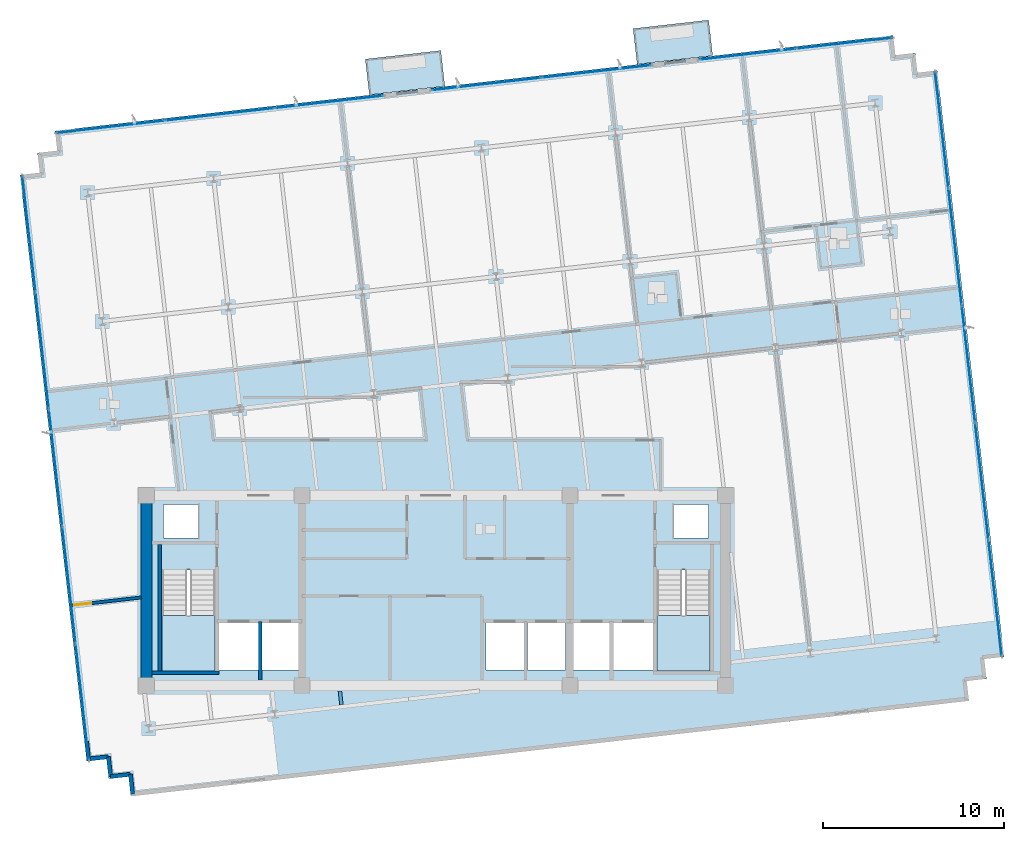
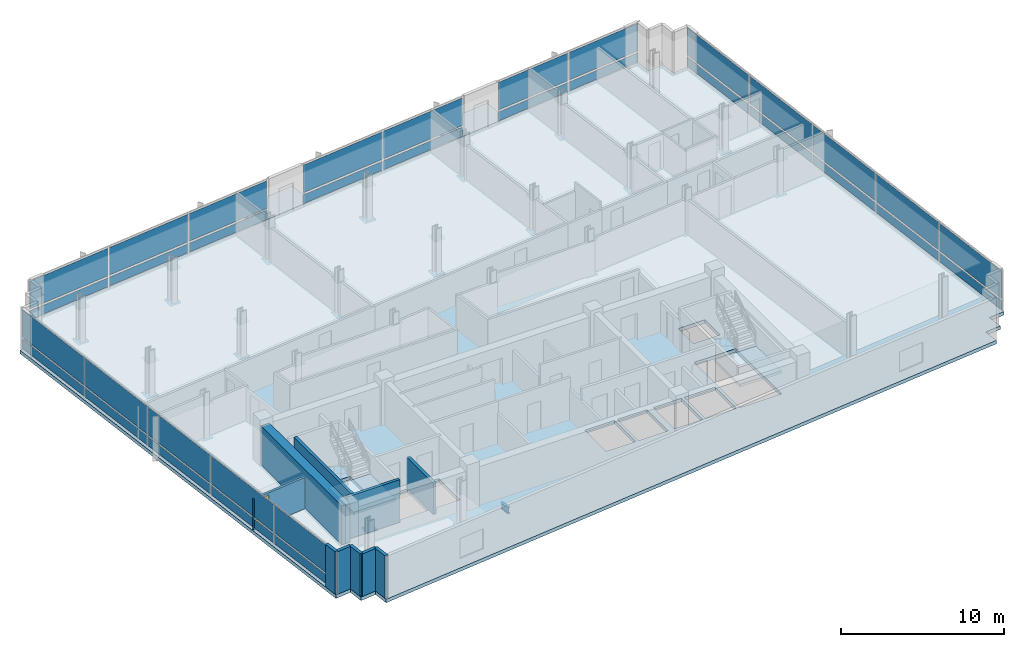
# One storey, part 7 of 16: 34 plates, 10 walls, 5 slabs, 1 beam, 1 door, 1 opening, 7 elements without a shape of their own.
"""IFC4 building model written with IfcOpenShell, lengths in metres."""

from ifc_helpers import new_model, si_unit, direction, frame, frame_2d, origin, origin_2d, place, context, subcontext, project, spatial, polyline, rectangle, i_section, outline, extrude, material, layer, layer_set, material_profile, profile_set, type_object, element, fill, aggregate, save


model = new_model("IFC4")

# Units and contexts
model_context = context("Model", 3, precision=1e-05, world=origin(), true_north=direction((0.0, 1.0)))
body_context = subcontext(model_context, "Body", "Model", "MODEL_VIEW")
ifc_project = project(units=[si_unit("LENGTHUNIT", "METRE"), si_unit("AREAUNIT", "SQUARE_METRE"), si_unit("VOLUMEUNIT", "CUBIC_METRE"), si_unit("PLANEANGLEUNIT", "RADIAN"), si_unit("MASSUNIT", "GRAM", prefix="KILO")], contexts=[model_context])

# Site, building, storey
site_placement = place(None, origin())
site = spatial("IfcSite", under=ifc_project, at=site_placement, CompositionType="ELEMENT")
building_placement = place(site_placement, origin())
building = spatial("IfcBuilding", under=site, at=building_placement, Name="Solmavex Isthmus Hotel", CompositionType="ELEMENT")
storey_placement = place(building_placement, frame((0.0, 0.0, 233.10009765625)))
storey = spatial("IfcBuildingStorey", under=building, at=storey_placement, Name="L63", CompositionType="ELEMENT", Elevation=233.10009765625)

# Beam
ifc_material_1 = material(Name="Steel ASTM A992 Grade 50", Category="steel")
ifc_material_profile = material_profile(ifc_material_1, i_section(OverallWidth=0.1904296875, OverallDepth=0.456787109375, WebThickness=0.009033203125, FlangeThickness=0.014404296875, FilletRadius=0.0126953125, at=origin_2d()), Name="W18X50")
ifc_profile_set = profile_set([ifc_material_profile], Name="Steel ASTM A992 Grade 50")
beam_type = type_object("IfcBeamType", Name="BM-BJ-W18X50", PredefinedType="JOIST", material=ifc_profile_set)
beam_placement = place(storey_placement, frame((-5.2236328125, -14.05419921875, -0.488525390625), z_axis=(-0.112902470797, 0.993606074905, 0.0), x_axis=(-0.993606074905, -0.112902470797, 0.0)))
element("IfcBeam", 1, at=beam_placement, inside=storey, type_object=beam_type, Name="Secondary Floor Joist L63-J05", PredefinedType="JOIST", context=body_context, shape_type="SweptSolid", body=[
    extrude(i_section(OverallWidth=0.1904296875, OverallDepth=0.456787109375, WebThickness=0.009033203125, FlangeThickness=0.014404296875, FilletRadius=0.0126953125, at=origin_2d()), origin(), (0.0, 0.0, 1.0), 0.759033203125),
])

# Curtain wall, plates
ifc_material_2 = material(Name="Aluminium alloy 6063-T6", Category="aluminium")
curtain_wall_type = type_object("IfcCurtainWallType", Name="CW-SYS-04", PredefinedType="NOTDEFINED", material=ifc_material_2)
curtain_wall_1_placement = place(storey_placement, origin())
curtain_wall_1 = element("IfcCurtainWall", 2, at=curtain_wall_1_placement, inside=storey, type_object=curtain_wall_type, Name="Stick Curtain Wall CWL-L63-N1", PredefinedType="NOTDEFINED")
ifc_material_3 = material(Name="Clear low-E laminated glass", Category="glass")
ifc_layer_1 = layer(ifc_material_3, 0.033935546875)
ifc_layer_set_1 = layer_set([ifc_layer_1], Name="Clear low-E laminated glass")
plate_type = type_object("IfcPlateType", Name="CW-SYS-04-PNL", PredefinedType="CURTAIN_PANEL", material=ifc_layer_set_1)
plate_1_placement = place(storey_placement, frame((-17.985595703125, 17.87109375, 0.14990234375), z_axis=(0.0, 0.0, 1.0), x_axis=(0.993571885329, 0.113202953513, 0.0)))
plate_1 = element("IfcPlate", 3, at=plate_1_placement, type_object=plate_type, Name="CW-04 panel 1.1", PredefinedType="CURTAIN_PANEL", context=body_context, shape_type="SweptSolid", body=[
    extrude(rectangle(XDim=5.979736328125, YDim=0.033935546875, at=origin_2d()), origin(), (0.0, 0.0, 1.0), 0.675048828125),
])
plate_2_placement = place(storey_placement, frame((-17.985595703125, 17.87109375, 0.974853515625), z_axis=(0.0, 0.0, 1.0), x_axis=(0.993571885329, 0.113202953513, 0.0)))
plate_2 = element("IfcPlate", 4, at=plate_2_placement, type_object=plate_type, Name="CW-04 panel 1.2", PredefinedType="CURTAIN_PANEL", context=body_context, shape_type="SweptSolid", body=[
    extrude(rectangle(XDim=5.979736328125, YDim=0.033935546875, at=origin_2d()), origin(), (0.0, 0.0, 1.0), 2.06494140625),
])
plate_3_placement = place(storey_placement, frame((-11.951171875, 18.558837890625, 0.14990234375), z_axis=(0.0, 0.0, 1.0), x_axis=(0.993571885329, 0.113202953513, 0.0)))
plate_3 = element("IfcPlate", 5, at=plate_3_placement, type_object=plate_type, Name="CW-04 panel 2.1", PredefinedType="CURTAIN_PANEL", context=body_context, shape_type="SweptSolid", body=[
    extrude(rectangle(XDim=6.017333984375, YDim=0.033935546875, at=origin_2d()), origin(), (0.0, 0.0, 1.0), 0.675048828125),
])
plate_4_placement = place(storey_placement, frame((-11.951171875, 18.558837890625, 0.974853515625), z_axis=(0.0, 0.0, 1.0), x_axis=(0.993571885329, 0.113202953513, 0.0)))
plate_4 = element("IfcPlate", 6, at=plate_4_placement, type_object=plate_type, Name="CW-04 panel 2.2", PredefinedType="CURTAIN_PANEL", context=body_context, shape_type="SweptSolid", body=[
    extrude(rectangle(XDim=6.017333984375, YDim=0.033935546875, at=origin_2d()), origin(), (0.0, 0.0, 1.0), 2.06494140625),
])
plate_5_placement = place(storey_placement, frame((-5.91650390625, 19.246337890625, 0.14990234375), z_axis=(0.0, 0.0, 1.0), x_axis=(0.993571885329, 0.113202953513, 0.0)))
plate_5 = element("IfcPlate", 7, at=plate_5_placement, type_object=plate_type, Name="CW-04 panel 3.1", PredefinedType="CURTAIN_PANEL", context=body_context, shape_type="SweptSolid", body=[
    extrude(rectangle(XDim=5.979736328125, YDim=0.033935546875, at=origin_2d()), origin(), (0.0, 0.0, 1.0), 0.675048828125),
])
plate_6_placement = place(storey_placement, frame((-5.91650390625, 19.246337890625, 0.974853515625), z_axis=(0.0, 0.0, 1.0), x_axis=(0.993571885329, 0.113202953513, 0.0)))
plate_6 = element("IfcPlate", 8, at=plate_6_placement, type_object=plate_type, Name="CW-04 panel 3.2", PredefinedType="CURTAIN_PANEL", context=body_context, shape_type="SweptSolid", body=[
    extrude(rectangle(XDim=5.979736328125, YDim=0.033935546875, at=origin_2d()), origin(), (0.0, 0.0, 1.0), 2.06494140625),
])
aggregate(curtain_wall_1, [plate_1, plate_2, plate_3, plate_4, plate_5, plate_6])

curtain_wall_2_placement = place(storey_placement, origin())
curtain_wall_2 = element("IfcCurtainWall", 9, at=curtain_wall_2_placement, inside=storey, type_object=curtain_wall_type, Name="Stick Curtain Wall CWL-L63-N2", PredefinedType="NOTDEFINED")
plate_7_placement = place(storey_placement, frame((2.78369140625, 20.237548828125, 0.14990234375), z_axis=(0.0, 0.0, 1.0), x_axis=(0.993571896348, 0.113202856801, 0.0)))
plate_7 = element("IfcPlate", 10, at=plate_7_placement, type_object=plate_type, Name="CW-04 panel 1.1", PredefinedType="CURTAIN_PANEL", context=body_context, shape_type="SweptSolid", body=[
    extrude(rectangle(XDim=6.033447265625, YDim=0.033935546875, at=origin_2d()), origin(), (0.0, 0.0, 1.0), 0.675048828125),
])
plate_8_placement = place(storey_placement, frame((2.78369140625, 20.237548828125, 0.974853515625), z_axis=(0.0, 0.0, 1.0), x_axis=(0.993571896348, 0.113202856801, 0.0)))
plate_8 = element("IfcPlate", 11, at=plate_8_placement, type_object=plate_type, Name="CW-04 panel 1.2", PredefinedType="CURTAIN_PANEL", context=body_context, shape_type="SweptSolid", body=[
    extrude(rectangle(XDim=6.033447265625, YDim=0.033935546875, at=origin_2d()), origin(), (0.0, 0.0, 1.0), 2.06494140625),
])
plate_9_placement = place(storey_placement, frame((8.85302734375, 20.928955078125, 0.14990234375), z_axis=(0.0, 0.0, 1.0), x_axis=(0.993571896348, 0.113202856801, 0.0)))
plate_9 = element("IfcPlate", 12, at=plate_9_placement, type_object=plate_type, Name="CW-04 panel 2.1", PredefinedType="CURTAIN_PANEL", context=body_context, shape_type="SweptSolid", body=[
    extrude(rectangle(XDim=6.033447265625, YDim=0.033935546875, at=origin_2d()), origin(), (0.0, 0.0, 1.0), 0.675048828125),
])
plate_10_placement = place(storey_placement, frame((8.85302734375, 20.928955078125, 0.974853515625), z_axis=(0.0, 0.0, 1.0), x_axis=(0.993571896348, 0.113202856801, 0.0)))
plate_10 = element("IfcPlate", 13, at=plate_10_placement, type_object=plate_type, Name="CW-04 panel 2.2", PredefinedType="CURTAIN_PANEL", context=body_context, shape_type="SweptSolid", body=[
    extrude(rectangle(XDim=6.033447265625, YDim=0.033935546875, at=origin_2d()), origin(), (0.0, 0.0, 1.0), 2.06494140625),
])
aggregate(curtain_wall_2, [plate_7, plate_8, plate_9, plate_10])

curtain_wall_3_placement = place(storey_placement, origin())
curtain_wall_3 = element("IfcCurtainWall", 14, at=curtain_wall_3_placement, inside=storey, type_object=curtain_wall_type, Name="Stick Curtain Wall CWL-L63-N3", PredefinedType="NOTDEFINED")
plate_11_placement = place(storey_placement, frame((17.217041015625, 21.882080078125, 0.14990234375), z_axis=(0.0, 0.0, 1.0), x_axis=(0.993571797279, 0.113203726319, 0.0)))
plate_11 = element("IfcPlate", 15, at=plate_11_placement, type_object=plate_type, Name="CW-04 panel 1.1", PredefinedType="CURTAIN_PANEL", context=body_context, shape_type="SweptSolid", body=[
    extrude(rectangle(XDim=5.302978515625, YDim=0.033935546875, at=origin_2d()), origin(), (0.0, 0.0, 1.0), 0.675048828125),
])
plate_12_placement = place(storey_placement, frame((17.217041015625, 21.882080078125, 0.974853515625), z_axis=(0.0, 0.0, 1.0), x_axis=(0.993571797279, 0.113203726319, 0.0)))
plate_12 = element("IfcPlate", 16, at=plate_12_placement, type_object=plate_type, Name="CW-04 panel 1.2", PredefinedType="CURTAIN_PANEL", context=body_context, shape_type="SweptSolid", body=[
    extrude(rectangle(XDim=5.302978515625, YDim=0.033935546875, at=origin_2d()), origin(), (0.0, 0.0, 1.0), 2.06494140625),
])
plate_13_placement = place(storey_placement, frame((22.560546875, 22.49072265625, 0.14990234375), z_axis=(0.0, 0.0, 1.0), x_axis=(0.993571797279, 0.113203726319, 0.0)))
plate_13 = element("IfcPlate", 17, at=plate_13_placement, type_object=plate_type, Name="CW-04 panel 2.1", PredefinedType="CURTAIN_PANEL", context=body_context, shape_type="SweptSolid", body=[
    extrude(rectangle(XDim=5.302978515625, YDim=0.033935546875, at=origin_2d()), origin(), (0.0, 0.0, 1.0), 0.675048828125),
])
plate_14_placement = place(storey_placement, frame((22.560546875, 22.49072265625, 0.974853515625), z_axis=(0.0, 0.0, 1.0), x_axis=(0.993571797279, 0.113203726319, 0.0)))
plate_14 = element("IfcPlate", 18, at=plate_14_placement, type_object=plate_type, Name="CW-04 panel 2.2", PredefinedType="CURTAIN_PANEL", context=body_context, shape_type="SweptSolid", body=[
    extrude(rectangle(XDim=5.302978515625, YDim=0.033935546875, at=origin_2d()), origin(), (0.0, 0.0, 1.0), 2.06494140625),
])
aggregate(curtain_wall_3, [plate_11, plate_12, plate_13, plate_14])

curtain_wall_4_placement = place(storey_placement, origin())
curtain_wall_4 = element("IfcCurtainWall", 19, at=curtain_wall_4_placement, inside=storey, type_object=curtain_wall_type, Name="Stick Curtain Wall CWL-L63-W1", PredefinedType="NOTDEFINED")
plate_15_placement = place(storey_placement, frame((-19.542724609375, -13.91064453125, 0.14990234375), z_axis=(0.0, 0.0, 1.0), x_axis=(-0.11320338078, 0.993571836648, 0.0)))
plate_15 = element("IfcPlate", 20, at=plate_15_placement, type_object=plate_type, Name="CW-04 panel 1.1", PredefinedType="CURTAIN_PANEL", context=body_context, shape_type="SweptSolid", body=[
    extrude(rectangle(XDim=6.407470703125, YDim=0.033935546875, at=origin_2d()), origin(), (0.0, 0.0, 1.0), 0.675048828125),
])
plate_16_placement = place(storey_placement, frame((-19.542724609375, -13.91064453125, 0.974853515625), z_axis=(0.0, 0.0, 1.0), x_axis=(-0.11320338078, 0.993571836648, 0.0)))
plate_16 = element("IfcPlate", 21, at=plate_16_placement, type_object=plate_type, Name="CW-04 panel 1.2", PredefinedType="CURTAIN_PANEL", context=body_context, shape_type="SweptSolid", body=[
    extrude(rectangle(XDim=6.407470703125, YDim=0.033935546875, at=origin_2d()), origin(), (0.0, 0.0, 1.0), 2.06494140625),
])
plate_17_placement = place(storey_placement, frame((-20.27880859375, -7.451171875, 0.14990234375), z_axis=(0.0, 0.0, 1.0), x_axis=(-0.11320338078, 0.993571836648, 0.0)))
plate_17 = element("IfcPlate", 22, at=plate_17_placement, type_object=plate_type, Name="CW-04 panel 2.1", PredefinedType="CURTAIN_PANEL", context=body_context, shape_type="SweptSolid", body=[
    extrude(rectangle(XDim=6.445068359375, YDim=0.033935546875, at=origin_2d()), origin(), (0.0, 0.0, 1.0), 0.675048828125),
])
plate_18_placement = place(storey_placement, frame((-20.27880859375, -7.451171875, 0.974853515625), z_axis=(0.0, 0.0, 1.0), x_axis=(-0.11320338078, 0.993571836648, 0.0)))
plate_18 = element("IfcPlate", 23, at=plate_18_placement, type_object=plate_type, Name="CW-04 panel 2.2", PredefinedType="CURTAIN_PANEL", context=body_context, shape_type="SweptSolid", body=[
    extrude(rectangle(XDim=6.445068359375, YDim=0.033935546875, at=origin_2d()), origin(), (0.0, 0.0, 1.0), 2.06494140625),
])
plate_19_placement = place(storey_placement, frame((-21.016845703125, -0.97314453125, 0.14990234375), z_axis=(0.0, 0.0, 1.0), x_axis=(-0.11320338078, 0.993571836648, 0.0)))
plate_19 = element("IfcPlate", 24, at=plate_19_placement, type_object=plate_type, Name="CW-04 panel 3.1", PredefinedType="CURTAIN_PANEL", context=body_context, shape_type="SweptSolid", body=[
    extrude(rectangle(XDim=6.445068359375, YDim=0.033935546875, at=origin_2d()), origin(), (0.0, 0.0, 1.0), 0.675048828125),
])
plate_20_placement = place(storey_placement, frame((-21.016845703125, -0.97314453125, 0.974853515625), z_axis=(0.0, 0.0, 1.0), x_axis=(-0.11320338078, 0.993571836648, 0.0)))
plate_20 = element("IfcPlate", 25, at=plate_20_placement, type_object=plate_type, Name="CW-04 panel 3.2", PredefinedType="CURTAIN_PANEL", context=body_context, shape_type="SweptSolid", body=[
    extrude(rectangle(XDim=6.445068359375, YDim=0.033935546875, at=origin_2d()), origin(), (0.0, 0.0, 1.0), 2.06494140625),
])
plate_21_placement = place(storey_placement, frame((-21.7548828125, 5.5048828125, 0.14990234375), z_axis=(0.0, 0.0, 1.0), x_axis=(-0.11320338078, 0.993571836648, 0.0)))
plate_21 = element("IfcPlate", 26, at=plate_21_placement, type_object=plate_type, Name="CW-04 panel 4.1", PredefinedType="CURTAIN_PANEL", context=body_context, shape_type="SweptSolid", body=[
    extrude(rectangle(XDim=6.445068359375, YDim=0.033935546875, at=origin_2d()), origin(), (0.0, 0.0, 1.0), 0.675048828125),
])
plate_22_placement = place(storey_placement, frame((-21.7548828125, 5.5048828125, 0.974853515625), z_axis=(0.0, 0.0, 1.0), x_axis=(-0.11320338078, 0.993571836648, 0.0)))
plate_22 = element("IfcPlate", 27, at=plate_22_placement, type_object=plate_type, Name="CW-04 panel 4.2", PredefinedType="CURTAIN_PANEL", context=body_context, shape_type="SweptSolid", body=[
    extrude(rectangle(XDim=6.445068359375, YDim=0.033935546875, at=origin_2d()), origin(), (0.0, 0.0, 1.0), 2.06494140625),
])
plate_23_placement = place(storey_placement, frame((-22.490966796875, 11.96435546875, 0.14990234375), z_axis=(0.0, 0.0, 1.0), x_axis=(-0.11320338078, 0.993571836648, 0.0)))
plate_23 = element("IfcPlate", 28, at=plate_23_placement, type_object=plate_type, Name="CW-04 panel 5.1", PredefinedType="CURTAIN_PANEL", context=body_context, shape_type="SweptSolid", body=[
    extrude(rectangle(XDim=6.407470703125, YDim=0.033935546875, at=origin_2d()), origin(), (0.0, 0.0, 1.0), 0.675048828125),
])
plate_24_placement = place(storey_placement, frame((-22.490966796875, 11.96435546875, 0.974853515625), z_axis=(0.0, 0.0, 1.0), x_axis=(-0.11320338078, 0.993571836648, 0.0)))
plate_24 = element("IfcPlate", 29, at=plate_24_placement, type_object=plate_type, Name="CW-04 panel 5.2", PredefinedType="CURTAIN_PANEL", context=body_context, shape_type="SweptSolid", body=[
    extrude(rectangle(XDim=6.407470703125, YDim=0.033935546875, at=origin_2d()), origin(), (0.0, 0.0, 1.0), 2.06494140625),
])
aggregate(curtain_wall_4, [plate_15, plate_16, plate_17, plate_18, plate_19, plate_20, plate_21, plate_22, plate_23, plate_24])

curtain_wall_5_placement = place(storey_placement, origin())
curtain_wall_5 = element("IfcCurtainWall", 30, at=curtain_wall_5_placement, inside=storey, type_object=curtain_wall_type, Name="Stick Curtain Wall CWL-L63-E1", PredefinedType="NOTDEFINED")
plate_25_placement = place(storey_placement, frame((30.890869140625, -8.16455078125, 0.14990234375), z_axis=(0.0, 0.0, 1.0), x_axis=(-0.11320338078, 0.993571836648, 0.0)))
plate_25 = element("IfcPlate", 31, at=plate_25_placement, type_object=plate_type, Name="CW-04 panel 1.1", PredefinedType="CURTAIN_PANEL", context=body_context, shape_type="SweptSolid", body=[
    extrude(rectangle(XDim=6.407470703125, YDim=0.033935546875, at=origin_2d()), origin(), (0.0, 0.0, 1.0), 0.675048828125),
])
plate_26_placement = place(storey_placement, frame((30.890869140625, -8.16455078125, 0.974853515625), z_axis=(0.0, 0.0, 1.0), x_axis=(-0.11320338078, 0.993571836648, 0.0)))
plate_26 = element("IfcPlate", 32, at=plate_26_placement, type_object=plate_type, Name="CW-04 panel 1.2", PredefinedType="CURTAIN_PANEL", context=body_context, shape_type="SweptSolid", body=[
    extrude(rectangle(XDim=6.407470703125, YDim=0.033935546875, at=origin_2d()), origin(), (0.0, 0.0, 1.0), 2.06494140625),
])
plate_27_placement = place(storey_placement, frame((30.155029296875, -1.705078125, 0.14990234375), z_axis=(0.0, 0.0, 1.0), x_axis=(-0.11320338078, 0.993571836648, 0.0)))
plate_27 = element("IfcPlate", 33, at=plate_27_placement, type_object=plate_type, Name="CW-04 panel 2.1", PredefinedType="CURTAIN_PANEL", context=body_context, shape_type="SweptSolid", body=[
    extrude(rectangle(XDim=6.445068359375, YDim=0.033935546875, at=origin_2d()), origin(), (0.0, 0.0, 1.0), 0.675048828125),
])
plate_28_placement = place(storey_placement, frame((30.155029296875, -1.705078125, 0.974853515625), z_axis=(0.0, 0.0, 1.0), x_axis=(-0.11320338078, 0.993571836648, 0.0)))
plate_28 = element("IfcPlate", 34, at=plate_28_placement, type_object=plate_type, Name="CW-04 panel 2.2", PredefinedType="CURTAIN_PANEL", context=body_context, shape_type="SweptSolid", body=[
    extrude(rectangle(XDim=6.445068359375, YDim=0.033935546875, at=origin_2d()), origin(), (0.0, 0.0, 1.0), 2.06494140625),
])
plate_29_placement = place(storey_placement, frame((29.416748046875, 4.773193359375, 0.14990234375), z_axis=(0.0, 0.0, 1.0), x_axis=(-0.11320338078, 0.993571836648, 0.0)))
plate_29 = element("IfcPlate", 35, at=plate_29_placement, type_object=plate_type, Name="CW-04 panel 3.1", PredefinedType="CURTAIN_PANEL", context=body_context, shape_type="SweptSolid", body=[
    extrude(rectangle(XDim=6.445068359375, YDim=0.033935546875, at=origin_2d()), origin(), (0.0, 0.0, 1.0), 0.675048828125),
])
plate_30_placement = place(storey_placement, frame((29.416748046875, 4.773193359375, 0.974853515625), z_axis=(0.0, 0.0, 1.0), x_axis=(-0.11320338078, 0.993571836648, 0.0)))
plate_30 = element("IfcPlate", 36, at=plate_30_placement, type_object=plate_type, Name="CW-04 panel 3.2", PredefinedType="CURTAIN_PANEL", context=body_context, shape_type="SweptSolid", body=[
    extrude(rectangle(XDim=6.445068359375, YDim=0.033935546875, at=origin_2d()), origin(), (0.0, 0.0, 1.0), 2.06494140625),
])
plate_31_placement = place(storey_placement, frame((28.6787109375, 11.251220703125, 0.14990234375), z_axis=(0.0, 0.0, 1.0), x_axis=(-0.11320338078, 0.993571836648, 0.0)))
plate_31 = element("IfcPlate", 37, at=plate_31_placement, type_object=plate_type, Name="CW-04 panel 4.1", PredefinedType="CURTAIN_PANEL", context=body_context, shape_type="SweptSolid", body=[
    extrude(rectangle(XDim=6.445068359375, YDim=0.033935546875, at=origin_2d()), origin(), (0.0, 0.0, 1.0), 0.675048828125),
])
plate_32_placement = place(storey_placement, frame((28.6787109375, 11.251220703125, 0.974853515625), z_axis=(0.0, 0.0, 1.0), x_axis=(-0.11320338078, 0.993571836648, 0.0)))
plate_32 = element("IfcPlate", 38, at=plate_32_placement, type_object=plate_type, Name="CW-04 panel 4.2", PredefinedType="CURTAIN_PANEL", context=body_context, shape_type="SweptSolid", body=[
    extrude(rectangle(XDim=6.445068359375, YDim=0.033935546875, at=origin_2d()), origin(), (0.0, 0.0, 1.0), 2.06494140625),
])
plate_33_placement = place(storey_placement, frame((27.94287109375, 17.710693359375, 0.14990234375), z_axis=(0.0, 0.0, 1.0), x_axis=(-0.11320338078, 0.993571836648, 0.0)))
plate_33 = element("IfcPlate", 39, at=plate_33_placement, type_object=plate_type, Name="CW-04 panel 5.1", PredefinedType="CURTAIN_PANEL", context=body_context, shape_type="SweptSolid", body=[
    extrude(rectangle(XDim=6.407470703125, YDim=0.033935546875, at=origin_2d()), origin(), (0.0, 0.0, 1.0), 0.675048828125),
])
plate_34_placement = place(storey_placement, frame((27.94287109375, 17.710693359375, 0.974853515625), z_axis=(0.0, 0.0, 1.0), x_axis=(-0.11320338078, 0.993571836648, 0.0)))
plate_34 = element("IfcPlate", 40, at=plate_34_placement, type_object=plate_type, Name="CW-04 panel 5.2", PredefinedType="CURTAIN_PANEL", context=body_context, shape_type="SweptSolid", body=[
    extrude(rectangle(XDim=6.407470703125, YDim=0.033935546875, at=origin_2d()), origin(), (0.0, 0.0, 1.0), 2.06494140625),
])
aggregate(curtain_wall_5, [plate_25, plate_26, plate_27, plate_28, plate_29, plate_30, plate_31, plate_32, plate_33, plate_34])

# Slabs
ifc_material_4 = material(Name="Concrete C40/50", Category="concrete")
ifc_layer_2 = layer(ifc_material_4, 0.239990234375)
ifc_layer_set_2 = layer_set([ifc_layer_2], Name="Concrete C40/50")
slab_type_1 = type_object("IfcSlabType", Name="SLAB-BALC-240", PredefinedType="FLOOR", material=ifc_layer_set_2)
slab_1_placement = place(storey_placement, frame((0.0, 0.0, -0.239990234375)))
element("IfcSlab", 41, at=slab_1_placement, inside=storey, type_object=slab_type_1, Name="Tree-Planter Balcony Slab L63-B1", PredefinedType="FLOOR", context=body_context, shape_type="SweptSolid", body=[
    extrude(outline(polyline([(-3.681640625, 19.63671875), (0.491455078125, 20.1123046875), (0.266845703125, 22.08447265625), (-3.90625, 21.609130859375), (-3.681640625, 19.63671875)])), origin(), (0.0, 0.0, 1.0), 0.239990234375),
])
slab_2_placement = place(storey_placement, frame((0.0, 0.0, -0.239990234375)))
element("IfcSlab", 42, at=slab_2_placement, inside=storey, type_object=slab_type_1, Name="Tree-Planter Balcony Slab L63-B2", PredefinedType="FLOOR", context=body_context, shape_type="SweptSolid", body=[
    extrude(outline(polyline([(11.11474609375, 21.322509765625), (15.287841796875, 21.798095703125), (15.06298828125, 23.770263671875), (10.89013671875, 23.294921875), (11.11474609375, 21.322509765625)])), origin(), (0.0, 0.0, 1.0), 0.239990234375),
])
ifc_layer_3 = layer(ifc_material_4, 0.260009765625)
ifc_layer_set_3 = layer_set([ifc_layer_3], Name="Concrete C40/50")
slab_type_2 = type_object("IfcSlabType", Name="SLAB-TYP-260", PredefinedType="FLOOR", material=ifc_layer_set_3)
slab_3_placement = place(storey_placement, frame((0.0, 0.0, -0.260009765625)))
element("IfcSlab", 43, at=slab_3_placement, inside=storey, type_object=slab_type_2, Name="Tower Structural Floor Slab L63", PredefinedType="FLOOR", context=body_context, shape_type="SweptSolid", body=[
    extrude(outline(polyline([(-15.762939453125, -18.994140625), (28.3515625, -13.968017578125), (29.444580078125, -13.843505859375), (29.320068359375, -12.75048828125), (30.412841796875, -12.6259765625), (30.288330078125, -11.532958984375), (31.38134765625, -11.408447265625), (31.2568359375, -10.315673828125), (27.8154296875, 19.888916015625), (27.69091796875, 20.98193359375), (26.597900390625, 20.857421875), (26.473388671875, 21.9501953125), (25.38037109375, 21.82568359375), (25.255859375, 22.918701171875), (24.1630859375, 22.794189453125), (-19.95166015625, 17.76806640625), (-21.04443359375, 17.6435546875), (-20.919921875, 16.550537109375), (-22.012939453125, 16.426025390625), (-21.888427734375, 15.3330078125), (-22.981201171875, 15.20849609375), (-22.856689453125, 14.11572265625), (-19.415283203125, -16.0888671875), (-19.290771484375, -17.181884765625), (-18.197998046875, -17.057373046875), (-18.073486328125, -18.150390625), (-16.98046875, -18.02587890625), (-16.85595703125, -19.11865234375), (-15.762939453125, -18.994140625)]), holes=[polyline([(-15.14990234375, -6.617919921875), (-15.14990234375, -12.199951171875), (-12.199951171875, -12.199951171875), (-12.199951171875, -6.617919921875), (-15.14990234375, -6.617919921875)]), polyline([(12.199951171875, -6.617919921875), (12.199951171875, -12.199951171875), (15.14990234375, -12.199951171875), (15.14990234375, -6.617919921875), (12.199951171875, -6.617919921875)]), polyline([(-12.0, -12.14990234375), (-9.800048828125, -12.14990234375), (-9.800048828125, -9.550048828125), (-12.0, -9.550048828125), (-12.0, -12.14990234375)]), polyline([(9.800048828125, -12.14990234375), (12.0, -12.14990234375), (12.0, -9.550048828125), (9.800048828125, -9.550048828125), (9.800048828125, -12.14990234375)]), polyline([(-9.60009765625, -12.14990234375), (-7.60009765625, -12.14990234375), (-7.60009765625, -9.550048828125), (-9.60009765625, -9.550048828125), (-9.60009765625, -12.14990234375)]), polyline([(7.60009765625, -12.14990234375), (9.60009765625, -12.14990234375), (9.60009765625, -9.550048828125), (7.60009765625, -9.550048828125), (7.60009765625, -12.14990234375)]), polyline([(2.75, -12.14990234375), (4.85009765625, -12.14990234375), (4.85009765625, -9.550048828125), (2.75, -9.550048828125), (2.75, -12.14990234375)]), polyline([(5.050048828125, -12.14990234375), (7.14990234375, -12.14990234375), (7.14990234375, -9.550048828125), (5.050048828125, -9.550048828125), (5.050048828125, -12.14990234375)]), polyline([(-15.050048828125, -4.85009765625), (-13.14990234375, -4.85009765625), (-13.14990234375, -3.0), (-15.050048828125, -3.0), (-15.050048828125, -4.85009765625)]), polyline([(13.14990234375, -4.85009765625), (15.050048828125, -4.85009765625), (15.050048828125, -3.0), (13.14990234375, -3.0), (13.14990234375, -4.85009765625)])]), origin(), (0.0, 0.0, 1.0), 0.260009765625),
])

# Stair, slab
stair_type_1 = type_object("IfcStairType", Name="STR-ST-1", PredefinedType="HALF_TURN_STAIR", material=ifc_material_4)
stair_1_placement = place(storey_placement, origin())
stair_1 = element("IfcStair", 44, at=stair_1_placement, inside=storey, type_object=stair_type_1, Name="L63 Protected Exit Stair ST-1", PredefinedType="HALF_TURN_STAIR")
ifc_layer_4 = layer(ifc_material_4, 0.219970703125)
ifc_layer_set_4 = layer_set([ifc_layer_4], Name="Concrete C40/50")
slab_type_3 = type_object("IfcSlabType", Name="SLD-ST-1", PredefinedType="LANDING", material=ifc_layer_set_4)
slab_4_placement = place(storey_placement, frame((0.0, 0.0, 1.52490234375)))
slab_4 = element("IfcSlab", 45, at=slab_4_placement, type_object=slab_type_3, Name="ST-1 landing 1", PredefinedType="LANDING", context=body_context, shape_type="SweptSolid", body=[
    extrude(outline(polyline([(-15.14990234375, -9.1201171875), (-15.14990234375, -12.199951171875), (-12.199951171875, -12.199951171875), (-12.199951171875, -9.1201171875), (-15.14990234375, -9.1201171875)])), origin(), (0.0, 0.0, 1.0), 0.199951171875),
])
aggregate(stair_1, [slab_4])

stair_type_2 = type_object("IfcStairType", Name="STR-ST-2", PredefinedType="HALF_TURN_STAIR", material=ifc_material_4)
stair_2_placement = place(storey_placement, origin())
stair_2 = element("IfcStair", 46, at=stair_2_placement, inside=storey, type_object=stair_type_2, Name="L63 Protected Exit Stair ST-2", PredefinedType="HALF_TURN_STAIR")
ifc_layer_5 = layer(ifc_material_4, 0.219970703125)
ifc_layer_set_5 = layer_set([ifc_layer_5], Name="Concrete C40/50")
slab_type_4 = type_object("IfcSlabType", Name="SLD-ST-2", PredefinedType="LANDING", material=ifc_layer_set_5)
slab_5_placement = place(storey_placement, frame((0.0, 0.0, 1.52490234375)))
slab_5 = element("IfcSlab", 47, at=slab_5_placement, type_object=slab_type_4, Name="ST-2 landing 1", PredefinedType="LANDING", context=body_context, shape_type="SweptSolid", body=[
    extrude(outline(polyline([(12.199951171875, -9.1201171875), (12.199951171875, -12.199951171875), (15.14990234375, -12.199951171875), (15.14990234375, -9.1201171875), (12.199951171875, -9.1201171875)])), origin(), (0.0, 0.0, 1.0), 0.199951171875),
])
aggregate(stair_2, [slab_5])

# Walls
ifc_material_5 = material(Name="Precast Concrete C40/50", Category="concrete")
ifc_layer_6 = layer(ifc_material_5, 0.25)
ifc_layer_set_6 = layer_set([ifc_layer_6], Name="Precast Concrete C40/50")
wall_type_1 = type_object("IfcWallType", Name="EW-TWR-250", PredefinedType="STANDARD", material=ifc_layer_set_6)
for number, where, z_axis, x_axis, name in (
    (48, (-16.759033203125, -18.9970703125, 0.0), (0.0, 0.0, 1.0), (-0.113183557839, 0.99357409499, 0.0), "Serrated Corner Facade Panel L63-01"),
    (49, (-16.883544921875, -17.904052734375, 0.0), (0.0, 0.0, 1.0), (-0.99357409499, -0.113183557839, 0.0), "Serrated Corner Facade Panel L63-02"),
    (50, (-17.9765625, -18.028564453125, 0.0), (0.0, 0.0, 1.0), (-0.113183557839, 0.99357409499, 0.0), "Serrated Corner Facade Panel L63-03"),
    (51, (-18.10107421875, -16.935546875, 0.0), (0.0, 0.0, 1.0), (-0.99357409499, -0.113183557839, 0.0), "Serrated Corner Facade Panel L63-04"),
):
    element("IfcWall", number, at=place(storey_placement, frame(where, z_axis=z_axis, x_axis=x_axis)), inside=storey, type_object=wall_type_1, Name=name, PredefinedType="STANDARD", context=body_context, shape_type="SweptSolid", body=[
        extrude(rectangle(XDim=1.10009765625, YDim=0.219970703125, at=frame_2d((0.550048828125, 0.0))), origin(), (0.0, 0.0, 1.0), 3.18994140625),
    ])
wall_1_placement = place(storey_placement, frame((-19.194091796875, -17.06005859375, 0.0), z_axis=(0.0, 0.0, 1.0), x_axis=(-0.113191877531, 0.993573147212, 0.0)))
element("IfcWall", 52, at=wall_1_placement, inside=storey, type_object=wall_type_1, Name="Serrated Corner Facade Panel L63-05", PredefinedType="STANDARD", context=body_context, shape_type="SweptSolid", body=[
    extrude(rectangle(XDim=0.989990234375, YDim=0.219970703125, at=frame_2d((0.4951171875, 0.0))), origin(), (0.0, 0.0, 1.0), 3.18994140625),
])

# Wall, opening, door
ifc_material_6 = material(Name="Gypsum plasterboard lining", Category="gypsum")
ifc_layer_7 = layer(ifc_material_6, 0.159912109375)
ifc_layer_set_7 = layer_set([ifc_layer_7], Name="Gypsum plasterboard lining")
wall_type_2 = type_object("IfcWallType", Name="IW-COMP-160", PredefinedType="PARTITIONING", material=ifc_layer_set_7)
wall_2_placement = place(storey_placement, frame((-16.26025390625, -8.130615234375, 0.0), z_axis=(0.0, 0.0, 1.0), x_axis=(-0.993573586503, -0.11318802147, 0.0)))
wall_2 = element("IfcWall", 53, at=wall_2_placement, inside=storey, type_object=wall_type_2, Name="Interior Partition Wall W-L63-P046", PredefinedType="PARTITIONING", context=body_context, shape_type="SweptSolid", body=[
    extrude(rectangle(XDim=3.955810546875, YDim=0.159912109375, at=frame_2d((1.97802734375, 0.0))), origin(), (0.0, 0.0, 1.0), 2.324951171875),
])
opening_placement = place(wall_2_placement, frame((2.7958984375, 0.0, 0.0)))
opening = element("IfcOpeningElement", 54, at=opening_placement, cuts=wall_2, Name="Opening ID-C095", PredefinedType="OPENING", context=body_context, shape_type="SweptSolid", body=[
    extrude(rectangle(XDim=0.949951171875, YDim=2.14990234375, at=frame_2d((0.47509765625, 1.074951171875))), frame((0.0, 0.08984375, 0.0), z_axis=(0.0, -1.0, 0.0), x_axis=(1.0, 0.0, 0.0)), (0.0, 0.0, 1.0), 0.179931640625),
])
ifc_material_7 = material(Name="Hardwood timber", Category="wood")
door_type = type_object("IfcDoorType", Name="IDR-FD60-0950", OperationType="NOTDEFINED", PredefinedType="DOOR", material=ifc_material_7)
door_placement = place(opening_placement, frame((0.949951171875, 0.0, 0.0), z_axis=(0.0, 0.0, 1.0), x_axis=(-1.0, 0.0, 0.0)))
door = element("IfcDoor", 55, at=door_placement, inside=storey, type_object=door_type, Name="Corporate Briefing Office Door L63-13", OperationType="SINGLE_SWING_LEFT", OverallHeight=2.14990234375, OverallWidth=0.949951171875, PredefinedType="DOOR", context=body_context, shape_type="SweptSolid", body=[
    extrude(rectangle(XDim=0.949951171875, YDim=2.14990234375, at=frame_2d((0.47509765625, 1.074951171875))), frame((0.0, 0.02490234375, 0.0), z_axis=(0.0, -1.0, 0.0), x_axis=(1.0, 0.0, 0.0)), (0.0, 0.0, 1.0), 0.050048828125),
])
fill(opening, door)

# Walls
ifc_layer_8 = layer(ifc_material_4, 0.199951171875)
ifc_layer_set_8 = layer_set([ifc_layer_8], Name="Concrete C40/50")
wall_type_3 = type_object("IfcWallType", Name="IW-SHAFT-200", PredefinedType="PARTITIONING", material=ifc_layer_set_8)
wall_3_placement = place(storey_placement, frame((-9.699951171875, -12.699951171875, 0.0), z_axis=(0.0, 0.0, 1.0), x_axis=(0.0, 1.0, 0.0)))
element("IfcWall", 56, at=wall_3_placement, inside=storey, type_object=wall_type_3, Name="Interior Partition Wall W-L63-FFLW-M", PredefinedType="PARTITIONING", context=body_context, shape_type="SweptSolid", body=[
    extrude(rectangle(XDim=3.25, YDim=0.199951171875, at=frame_2d((1.625, 0.0))), origin(), (0.0, 0.0, 1.0), 2.324951171875),
])
ifc_material_8 = material(Name="Concrete C50/60", Category="concrete")
ifc_layer_9 = layer(ifc_material_8, 0.60009765625)
ifc_layer_set_9 = layer_set([ifc_layer_9], Name="Concrete C50/60")
wall_type_4 = type_object("IfcWallType", Name="WALL-CW-600", PredefinedType="SHEAR", material=ifc_layer_set_9)
wall_4_placement = place(storey_placement, frame((-16.0, -12.699951171875, 0.0), z_axis=(0.0, 0.0, 1.0), x_axis=(0.0, 1.0, 0.0)))
element("IfcWall", 57, at=wall_4_placement, inside=storey, type_object=wall_type_4, Name="Core Shear Wall West L63", PredefinedType="SHEAR", context=body_context, shape_type="SweptSolid", body=[
    extrude(rectangle(XDim=9.89990234375, YDim=0.60009765625, at=frame_2d((4.949951171875, 0.0))), origin(), (0.0, 0.0, 1.0), 2.909912109375),
])
ifc_layer_10 = layer(ifc_material_4, 0.199951171875)
ifc_layer_set_10 = layer_set([ifc_layer_10], Name="Concrete C40/50")
wall_type_5 = type_object("IfcWallType", Name="WALL-SW-200", PredefinedType="SOLIDWALL", material=ifc_layer_set_10)
wall_5_placement = place(storey_placement, frame((-15.699951171875, -12.300048828125, 0.0), z_axis=(0.0, 0.0, 1.0), x_axis=(1.0, 0.0, 0.0)))
element("IfcWall", 58, at=wall_5_placement, inside=storey, type_object=wall_type_5, Name="Stairwell Structural Wall SW-L63-ST1-S", PredefinedType="SOLIDWALL", context=body_context, shape_type="SweptSolid", body=[
    extrude(rectangle(XDim=3.699951171875, YDim=0.199951171875, at=frame_2d((1.85009765625, 0.0))), origin(), (0.0, 0.0, 1.0), 3.18994140625),
])
wall_6_placement = place(storey_placement, frame((-15.25, -12.199951171875, 0.0), z_axis=(0.0, 0.0, 1.0), x_axis=(0.0, 1.0, 0.0)))
element("IfcWall", 59, at=wall_6_placement, inside=storey, type_object=wall_type_5, Name="Stairwell Structural Wall SW-L63-ST1-W", PredefinedType="SOLIDWALL", context=body_context, shape_type="SweptSolid", body=[
    extrude(rectangle(XDim=7.0, YDim=0.199951171875, at=frame_2d((3.5, 0.0))), origin(), (0.0, 0.0, 1.0), 3.18994140625),
])

save(model, "model.ifc")
